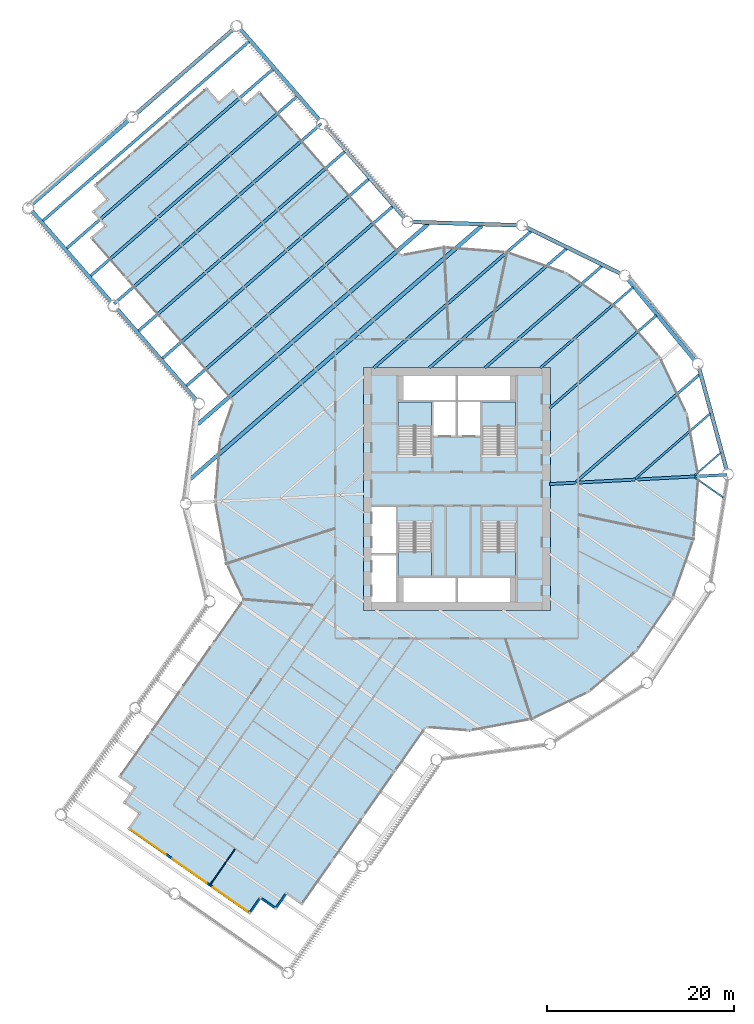
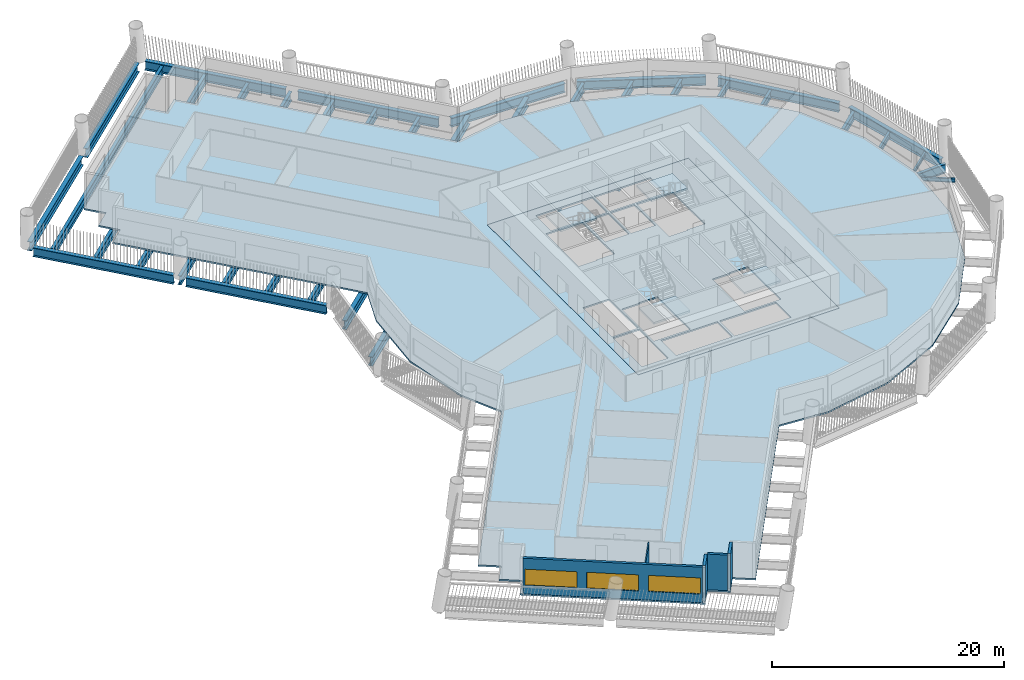
# One storey, part 2 of 15: 29 beams, 6 slabs, 5 walls, 3 windows, 3 openings, 4 elements without a shape of their own.
"""IFC4 building model written with IfcOpenShell, lengths in metres."""

from ifc_helpers import new_model, si_unit, direction, frame, frame_2d, origin, origin_2d, place, context, subcontext, project, spatial, polyline, rectangle, i_section, outline, extrude, material, layer, layer_set, material_profile, profile_set, type_object, element, fill, aggregate, save


model = new_model("IFC4")

# Units and contexts
model_context = context("Model", 3, precision=1e-05, world=origin(), true_north=direction((0.0, 1.0)))
body_context = subcontext(model_context, "Body", "Model", "MODEL_VIEW")
ifc_project = project(units=[si_unit("LENGTHUNIT", "METRE"), si_unit("AREAUNIT", "SQUARE_METRE"), si_unit("VOLUMEUNIT", "CUBIC_METRE"), si_unit("PLANEANGLEUNIT", "RADIAN"), si_unit("MASSUNIT", "GRAM", prefix="KILO")], contexts=[model_context])

# Site, building, storey
site_placement = place(None, origin())
site = spatial("IfcSite", under=ifc_project, at=site_placement, CompositionType="ELEMENT")
building_placement = place(site_placement, origin())
building = spatial("IfcBuilding", under=site, at=building_placement, Name="Tarsis Ring Headquarters", CompositionType="ELEMENT")
storey_placement = place(building_placement, frame((0.0, 0.0, 51.699951171875)))
storey = spatial("IfcBuildingStorey", under=building, at=storey_placement, Name="L10", CompositionType="ELEMENT", Elevation=51.699951171875)

# Beams
ifc_material_1 = material(Name="Structural steel S355", Category="steel")
ifc_material_profile_1 = material_profile(ifc_material_1, i_section(OverallWidth=0.177734375, OverallDepth=0.406494140625, WebThickness=0.0078125, FlangeThickness=0.0126953125, at=origin_2d()), Name="W16x40")
ifc_profile_set_1 = profile_set([ifc_material_profile_1], Name="Structural steel S355")
beam_type_1 = type_object("IfcBeamType", Name="FB Floor beam W16x40", PredefinedType="JOIST", material=ifc_profile_set_1)
beam_1_placement = place(storey_placement, frame((25.42822265625, 1.239013671875, -0.363037109375), z_axis=(0.819164473941, -0.573558684558, 0.0), x_axis=(0.573558684558, 0.819164473941, 0.0)))
element("IfcBeam", 1, at=beam_1_placement, inside=storey, type_object=beam_type_1, Name="Floor beam FB1", PredefinedType="JOIST", context=body_context, shape_type="SweptSolid", body=[
    extrude(i_section(OverallWidth=0.177734375, OverallDepth=0.406494140625, WebThickness=0.0078125, FlangeThickness=0.0126953125, at=origin_2d()), origin(), (0.0, 0.0, 1.0), 3.741455078125),
])
beam_2_placement = place(storey_placement, frame((28.2421875, 3.88037109375, -0.363037109375), z_axis=(-0.754682777559, -0.656089860656, 0.0), x_axis=(0.656089860656, -0.754682777559, 0.0)))
element("IfcBeam", 2, at=beam_2_placement, inside=storey, type_object=beam_type_1, Name="Floor beam FB1", PredefinedType="JOIST", context=body_context, shape_type="SweptSolid", body=[
    extrude(i_section(OverallWidth=0.177734375, OverallDepth=0.406494140625, WebThickness=0.0078125, FlangeThickness=0.0126953125, at=origin_2d()), origin(), (0.0, 0.0, 1.0), 3.74169921875),
])
ifc_material_profile_2 = material_profile(ifc_material_1, i_section(OverallWidth=0.228271484375, OverallDepth=0.607177734375, WebThickness=0.01123046875, FlangeThickness=0.017333984375, at=origin_2d()), Name="W24x76")
ifc_profile_set_2 = profile_set([ifc_material_profile_2], Name="Structural steel S355")
beam_type_2 = type_object("IfcBeamType", Name="FB Floor beam W24x76", PredefinedType="JOIST", material=ifc_profile_set_2)
beam_3_placement = place(storey_placement, frame((27.1083984375, 8.062255859375, -0.463623046875), z_axis=(-0.754711409707, -0.656056924403, 0.0), x_axis=(0.656056924403, -0.754711409707, 0.0)))
element("IfcBeam", 3, at=beam_3_placement, inside=storey, type_object=beam_type_2, Name="Floor beam FB4", PredefinedType="JOIST", context=body_context, shape_type="SweptSolid", body=[
    extrude(i_section(OverallWidth=0.228271484375, OverallDepth=0.607177734375, WebThickness=0.01123046875, FlangeThickness=0.017333984375, at=origin_2d()), origin(), (0.0, 0.0, 1.0), 10.621337890625),
])
ifc_material_profile_3 = material_profile(ifc_material_1, i_section(OverallWidth=0.2529296875, OverallDepth=0.67822265625, WebThickness=0.01171875, FlangeThickness=0.016357421875, at=origin_2d()), Name="W27x84")
ifc_profile_set_3 = profile_set([ifc_material_profile_3], Name="Structural steel S355")
beam_type_3 = type_object("IfcBeamType", Name="FB Floor beam W27x84", PredefinedType="JOIST", material=ifc_profile_set_3)
beam_4_placement = place(storey_placement, frame((18.87060546875, 21.571533203125, -0.4990234375), z_axis=(-0.75470372547, -0.656065764053, 0.0), x_axis=(0.656065764053, -0.75470372547, 0.0)))
element("IfcBeam", 4, at=beam_4_placement, inside=storey, type_object=beam_type_3, Name="Floor beam FB5", PredefinedType="JOIST", context=body_context, shape_type="SweptSolid", body=[
    extrude(i_section(OverallWidth=0.2529296875, OverallDepth=0.67822265625, WebThickness=0.01171875, FlangeThickness=0.016357421875, at=origin_2d()), origin(), (0.0, 0.0, 1.0), 13.1650390625),
])
ifc_material_profile_4 = material_profile(ifc_material_1, i_section(OverallWidth=0.2666015625, OverallDepth=0.7568359375, WebThickness=0.013916015625, FlangeThickness=0.019287109375, at=origin_2d()), Name="W30x108")
ifc_profile_set_4 = profile_set([ifc_material_profile_4], Name="Structural steel S355")
beam_type_4 = type_object("IfcBeamType", Name="FB Floor beam W30x108", PredefinedType="JOIST", material=ifc_profile_set_4)
beam_5_placement = place(storey_placement, frame((21.35302734375, 18.561767578125, -0.538330078125), z_axis=(-0.754711028972, -0.656057362392, 0.0), x_axis=(0.656057362392, -0.754711028972, 0.0)))
element("IfcBeam", 5, at=beam_5_placement, inside=storey, type_object=beam_type_4, Name="Floor beam FB6", PredefinedType="JOIST", context=body_context, shape_type="SweptSolid", body=[
    extrude(i_section(OverallWidth=0.2666015625, OverallDepth=0.7568359375, WebThickness=0.013916015625, FlangeThickness=0.019287109375, at=origin_2d()), origin(), (0.0, 0.0, 1.0), 15.142822265625),
])
ifc_material_profile_5 = material_profile(ifc_material_1, i_section(OverallWidth=0.2919921875, OverallDepth=0.835693359375, WebThickness=0.013916015625, FlangeThickness=0.018798828125, at=origin_2d()), Name="W33x118")
ifc_profile_set_5 = profile_set([ifc_material_profile_5], Name="Structural steel S355")
beam_type_5 = type_object("IfcBeamType", Name="FB Floor beam W33x118", PredefinedType="JOIST", material=ifc_profile_set_5)
beam_6_placement = place(storey_placement, frame((25.974365234375, 12.244140625, -0.577880859375), z_axis=(-0.754705522328, -0.656063697035, 0.0), x_axis=(0.656063697035, -0.754705522328, 0.0)))
element("IfcBeam", 6, at=beam_6_placement, inside=storey, type_object=beam_type_5, Name="Floor beam FB7", PredefinedType="JOIST", context=body_context, shape_type="SweptSolid", body=[
    extrude(i_section(OverallWidth=0.2919921875, OverallDepth=0.835693359375, WebThickness=0.013916015625, FlangeThickness=0.018798828125, at=origin_2d()), origin(), (0.0, 0.0, 1.0), 17.5009765625),
])
beam_7_placement = place(storey_placement, frame((15.5595703125, 23.86083984375, -0.577880859375), z_axis=(-0.754704923427, -0.656064385983, 0.0), x_axis=(0.656064385983, -0.754704923427, 0.0)))
element("IfcBeam", 7, at=beam_7_placement, inside=storey, type_object=beam_type_5, Name="Floor beam FB7", PredefinedType="JOIST", context=body_context, shape_type="SweptSolid", body=[
    extrude(i_section(OverallWidth=0.2919921875, OverallDepth=0.835693359375, WebThickness=0.013916015625, FlangeThickness=0.018798828125, at=origin_2d()), origin(), (0.0, 0.0, 1.0), 16.654541015625),
])
ifc_material_profile_6 = material_profile(ifc_material_1, i_section(OverallWidth=0.3046875, OverallDepth=0.904296875, WebThickness=0.01513671875, FlangeThickness=0.02001953125, at=origin_2d()), Name="W36x135")
ifc_profile_set_6 = profile_set([ifc_material_profile_6], Name="Structural steel S355")
beam_type_6 = type_object("IfcBeamType", Name="FB Floor beam W36x135", PredefinedType="JOIST", material=ifc_profile_set_6)
beam_8_placement = place(storey_placement, frame((11.76025390625, 25.7255859375, -0.612060546875), z_axis=(-0.75470822226, -0.656060591145, 0.0), x_axis=(0.656060591145, -0.75470822226, 0.0)))
element("IfcBeam", 8, at=beam_8_placement, inside=storey, type_object=beam_type_6, Name="Floor beam FB8", PredefinedType="JOIST", context=body_context, shape_type="SweptSolid", body=[
    extrude(i_section(OverallWidth=0.3046875, OverallDepth=0.904296875, WebThickness=0.01513671875, FlangeThickness=0.02001953125, at=origin_2d()), origin(), (0.0, 0.0, 1.0), 19.4970703125),
])
ifc_material_profile_7 = material_profile(ifc_material_1, i_section(OverallWidth=0.3046875, OverallDepth=0.91943359375, WebThickness=0.017333984375, FlangeThickness=0.02783203125, at=origin_2d()), Name="W36x170")
ifc_profile_set_7 = profile_set([ifc_material_profile_7], Name="Structural steel S355")
beam_type_7 = type_object("IfcBeamType", Name="FB Floor beam W36x170", PredefinedType="JOIST", material=ifc_profile_set_7)
beam_9_placement = place(storey_placement, frame((7.9609375, 27.590576171875, -0.61962890625), z_axis=(-0.754705270476, -0.656063986754, 0.0), x_axis=(0.656063986754, -0.754705270476, 0.0)))
element("IfcBeam", 9, at=beam_9_placement, inside=storey, type_object=beam_type_7, Name="Floor beam FB9", PredefinedType="JOIST", context=body_context, shape_type="SweptSolid", body=[
    extrude(i_section(OverallWidth=0.3046875, OverallDepth=0.91943359375, WebThickness=0.017333984375, FlangeThickness=0.02783203125, at=origin_2d()), origin(), (0.0, 0.0, 1.0), 22.339599609375),
])
ifc_material_profile_8 = material_profile(ifc_material_1, i_section(OverallWidth=0.309814453125, OverallDepth=0.949951171875, WebThickness=0.0244140625, FlangeThickness=0.0439453125, at=origin_2d()), Name="W36x256")
ifc_profile_set_8 = profile_set([ifc_material_profile_8], Name="Structural steel S355")
beam_type_8 = type_object("IfcBeamType", Name="FB Floor beam W36x256", PredefinedType="JOIST", material=ifc_profile_set_8)
beam_10_placement = place(storey_placement, frame((-6.8251953125, 30.23974609375, -0.635009765625), z_axis=(-0.754713401662, -0.656054632902, 0.0), x_axis=(0.656054632902, -0.754713401662, 0.0)))
element("IfcBeam", 10, at=beam_10_placement, inside=storey, type_object=beam_type_8, Name="Floor beam FB11", PredefinedType="JOIST", context=body_context, shape_type="SweptSolid", body=[
    extrude(i_section(OverallWidth=0.309814453125, OverallDepth=0.949951171875, WebThickness=0.0244140625, FlangeThickness=0.0439453125, at=origin_2d()), origin(), (0.0, 0.0, 1.0), 29.3759765625),
])
for number, where, z_axis, x_axis, name in (
    (11, (-9.384033203125, 33.18310546875, -0.635009765625), (-0.75470982455, -0.656058747924, 0.0), (0.656058747924, -0.75470982455, 0.0), "Floor beam FB11"),
    (12, (-11.942626953125, 36.12646484375, -0.635009765625), (-0.75470982455, -0.656058747924, 0.0), (0.656058747924, -0.75470982455, 0.0), "Floor beam FB11"),
    (13, (-14.501220703125, 39.06982421875, -0.635009765625), (-0.75470982455, -0.656058747924, 0.0), (0.656058747924, -0.75470982455, 0.0), "Floor beam FB11"),
    (14, (-17.059814453125, 42.01318359375, -0.635009765625), (-0.75470982455, -0.656058747924, 0.0), (0.656058747924, -0.75470982455, 0.0), "Floor beam FB11"),
    (15, (-19.618408203125, 44.95654296875, -0.635009765625), (-0.75470982455, -0.656058747924, 0.0), (0.656058747924, -0.75470982455, 0.0), "Floor beam FB11"),
):
    element("IfcBeam", number, at=place(storey_placement, frame(where, z_axis=z_axis, x_axis=x_axis)), inside=storey, type_object=beam_type_8, Name=name, PredefinedType="JOIST", context=body_context, shape_type="SweptSolid", body=[
        extrude(i_section(OverallWidth=0.309814453125, OverallDepth=0.949951171875, WebThickness=0.0244140625, FlangeThickness=0.0439453125, at=origin_2d()), origin(), (0.0, 0.0, 1.0), 29.375732421875),
    ])
beam_11_placement = place(storey_placement, frame((-22.177001953125, 47.89990234375, -0.635009765625), z_axis=(-0.754713401662, -0.656054632902, 0.0), x_axis=(0.656054632902, -0.754713401662, 0.0)))
element("IfcBeam", 16, at=beam_11_placement, inside=storey, type_object=beam_type_8, Name="Floor beam FB11", PredefinedType="JOIST", context=body_context, shape_type="SweptSolid", body=[
    extrude(i_section(OverallWidth=0.309814453125, OverallDepth=0.949951171875, WebThickness=0.0244140625, FlangeThickness=0.0439453125, at=origin_2d()), origin(), (0.0, 0.0, 1.0), 29.3759765625),
])
beam_type_9 = type_object("IfcBeamType", Name="FB Floor beam W36x256 spine", PredefinedType="BEAM", material=ifc_profile_set_8)
beam_12_placement = place(storey_placement, frame((28.891845703125, 1.51416015625, -0.635009765625), z_axis=(-0.998629401335, -0.052338501983, 0.0), x_axis=(0.052338501983, -0.998629401335, 0.0)))
element("IfcBeam", 17, at=beam_12_placement, inside=storey, type_object=beam_type_9, Name="Floor beam SB11", PredefinedType="BEAM", context=body_context, shape_type="SweptSolid", body=[
    extrude(i_section(OverallWidth=0.309814453125, OverallDepth=0.949951171875, WebThickness=0.0244140625, FlangeThickness=0.0439453125, at=origin_2d()), origin(), (0.0, 0.0, 1.0), 19.017822265625),
])
ifc_material_profile_9 = material_profile(ifc_material_1, i_section(OverallWidth=0.42431640625, OverallDepth=0.947509765625, WebThickness=0.02392578125, FlangeThickness=0.042724609375, at=origin_2d()), Name="W36x302")
ifc_profile_set_9 = profile_set([ifc_material_profile_9], Name="Structural steel S355")
beam_type_10 = type_object("IfcBeamType", Name="FB Floor beam W36x302", PredefinedType="JOIST", material=ifc_profile_set_9)
beam_13_placement = place(storey_placement, frame((2.695068359375, 28.1806640625, -0.633544921875), z_axis=(-0.754707828775, -0.656061043796, 0.0), x_axis=(0.656061043796, -0.754707828775, 0.0)))
element("IfcBeam", 18, at=beam_13_placement, inside=storey, type_object=beam_type_10, Name="Floor beam FB12", PredefinedType="JOIST", context=body_context, shape_type="SweptSolid", body=[
    extrude(i_section(OverallWidth=0.42431640625, OverallDepth=0.947509765625, WebThickness=0.02392578125, FlangeThickness=0.042724609375, at=origin_2d()), origin(), (0.0, 0.0, 1.0), 41.35302734375),
])
beam_14_placement = place(storey_placement, frame((-3.0419921875, 28.361083984375, -0.633544921875), z_axis=(-0.754705957604, -0.656063196313, 0.0), x_axis=(0.656063196313, -0.754705957604, 0.0)))
element("IfcBeam", 19, at=beam_14_placement, inside=storey, type_object=beam_type_10, Name="Floor beam FB12", PredefinedType="JOIST", context=body_context, shape_type="SweptSolid", body=[
    extrude(i_section(OverallWidth=0.42431640625, OverallDepth=0.947509765625, WebThickness=0.02392578125, FlangeThickness=0.042724609375, at=origin_2d()), origin(), (0.0, 0.0, 1.0), 32.70458984375),
])
beam_type_11 = type_object("IfcBeamType", Name="XG Ring girder W36x302", PredefinedType="BEAM", material=ifc_profile_set_9)
beam_15_placement = place(storey_placement, frame((28.865234375, 2.0498046875, -0.4736328125), z_axis=(-0.26170739234, 0.965147263787, 0.0), x_axis=(-0.965147263787, -0.26170739234, 0.0)))
element("IfcBeam", 20, at=beam_15_placement, inside=storey, type_object=beam_type_11, Name="Ring girder XG1", PredefinedType="BEAM", context=body_context, shape_type="SweptSolid", body=[
    extrude(i_section(OverallWidth=0.42431640625, OverallDepth=0.947509765625, WebThickness=0.02392578125, FlangeThickness=0.042724609375, at=origin_2d()), origin(), (0.0, 0.0, 1.0), 11.151611328125),
])
beam_16_placement = place(storey_placement, frame((25.4541015625, 13.765380859375, -0.4736328125), z_axis=(-0.636263429582, 0.771471871281, 0.0), x_axis=(-0.771471871281, -0.636263429582, 0.0)))
element("IfcBeam", 21, at=beam_16_placement, inside=storey, type_object=beam_type_11, Name="Ring girder XG1", PredefinedType="BEAM", context=body_context, shape_type="SweptSolid", body=[
    extrude(i_section(OverallWidth=0.42431640625, OverallDepth=0.947509765625, WebThickness=0.02392578125, FlangeThickness=0.042724609375, at=origin_2d()), origin(), (0.0, 0.0, 1.0), 11.15185546875),
])
for number, where, z_axis, x_axis, name in (
    (22, (17.51708984375, 23.03369140625, -0.4736328125), (-0.897695636764, 0.440616095637, 0.0), (-0.440616095637, -0.897695636764, 0.0), "Ring girder XG1"),
    (23, (6.465576171875, 28.206298828125, -0.4736328125), (-0.999505690328, 0.03143843193, 0.0), (-0.03143843193, -0.999505690328, 0.0), "Ring girder XG1"),
):
    element("IfcBeam", number, at=place(storey_placement, frame(where, z_axis=z_axis, x_axis=x_axis)), inside=storey, type_object=beam_type_11, Name=name, PredefinedType="BEAM", context=body_context, shape_type="SweptSolid", body=[
        extrude(i_section(OverallWidth=0.42431640625, OverallDepth=0.947509765625, WebThickness=0.02392578125, FlangeThickness=0.042724609375, at=origin_2d()), origin(), (0.0, 0.0, 1.0), 11.151611328125),
    ])
for number, where, z_axis, x_axis, name in (
    (24, (-5.5888671875, 28.988037109375, -0.4736328125), (-0.656049839, 0.754717568862, 0.0), (-0.754717568862, -0.656049839, 0.0), "Ring girder XG1"),
    (25, (-14.70947265625, 39.480224609375, -0.4736328125), (-0.656060698893, 0.754708128596, 0.0), (-0.754708128596, -0.656060698893, 0.0), "Ring girder XG1"),
):
    element("IfcBeam", number, at=place(storey_placement, frame(where, z_axis=z_axis, x_axis=x_axis)), inside=storey, type_object=beam_type_11, Name=name, PredefinedType="BEAM", context=body_context, shape_type="SweptSolid", body=[
        extrude(i_section(OverallWidth=0.42431640625, OverallDepth=0.947509765625, WebThickness=0.02392578125, FlangeThickness=0.042724609375, at=origin_2d()), origin(), (0.0, 0.0, 1.0), 12.804931640625),
    ])
beam_17_placement = place(storey_placement, frame((-23.88427734375, 49.198486328125, -0.4736328125), z_axis=(-0.754701789963, -0.656067990552, 0.0), x_axis=(0.656067990552, -0.754701789963, 0.0)))
element("IfcBeam", 26, at=beam_17_placement, inside=storey, type_object=beam_type_11, Name="Ring girder XG1", PredefinedType="BEAM", context=body_context, shape_type="SweptSolid", body=[
    extrude(i_section(OverallWidth=0.42431640625, OverallDepth=0.947509765625, WebThickness=0.02392578125, FlangeThickness=0.042724609375, at=origin_2d()), origin(), (0.0, 0.0, 1.0), 13.702880859375),
])
beam_18_placement = place(storey_placement, frame((-35.053955078125, 39.48876953125, -0.4736328125), z_axis=(-0.754710611731, -0.656057842375, 0.0), x_axis=(0.656057842375, -0.754710611731, 0.0)))
element("IfcBeam", 27, at=beam_18_placement, inside=storey, type_object=beam_type_11, Name="Ring girder XG1", PredefinedType="BEAM", context=body_context, shape_type="SweptSolid", body=[
    extrude(i_section(OverallWidth=0.42431640625, OverallDepth=0.947509765625, WebThickness=0.02392578125, FlangeThickness=0.042724609375, at=origin_2d()), origin(), (0.0, 0.0, 1.0), 13.70263671875),
])
for number, where, z_axis, x_axis, name in (
    (28, (-45.44970703125, 29.724853515625, -0.4736328125), (0.656060698893, -0.754708128596, 0.0), (0.754708128596, 0.656060698893, 0.0), "Ring girder XG1"),
    (29, (-36.3291015625, 19.232666015625, -0.4736328125), (0.656070139204, -0.754699922118, 0.0), (0.754699922118, 0.656070139204, 0.0), "Ring girder XG1"),
):
    element("IfcBeam", number, at=place(storey_placement, frame(where, z_axis=z_axis, x_axis=x_axis)), inside=storey, type_object=beam_type_11, Name=name, PredefinedType="BEAM", context=body_context, shape_type="SweptSolid", body=[
        extrude(i_section(OverallWidth=0.42431640625, OverallDepth=0.947509765625, WebThickness=0.02392578125, FlangeThickness=0.042724609375, at=origin_2d()), origin(), (0.0, 0.0, 1.0), 12.804931640625),
    ])

# Slab
ifc_material_2 = material(Name="Concrete C40/50", Category="concrete")
ifc_layer_1 = layer(ifc_material_2, 0.159912109375)
ifc_layer_set_1 = layer_set([ifc_layer_1], Name="Core floor slab 160 C40/50")
slab_type_1 = type_object("IfcSlabType", Name="Core floor slab 160 C40/50", PredefinedType="FLOOR", material=ifc_layer_set_1)
slab_1_placement = place(storey_placement, frame((0.0, 0.0, -0.159912109375)))
element("IfcSlab", 30, at=slab_1_placement, inside=storey, type_object=slab_type_1, Name="L10 core floor slab", PredefinedType="FLOOR", context=body_context, shape_type="SweptSolid", body=[
    extrude(outline(polyline([(-10.0, -13.0), (10.0, -13.0), (10.0, 13.0), (-10.0, 13.0), (-10.0, -13.0)]), holes=[polyline([(-2.5, 5.699951171875), (-0.10009765625, 5.699951171875), (-0.10009765625, 9.300048828125), (-2.5, 9.300048828125), (-2.5, 5.699951171875)]), polyline([(0.10009765625, 5.699951171875), (2.5, 5.699951171875), (2.5, 9.300048828125), (0.10009765625, 9.300048828125), (0.10009765625, 5.699951171875)]), polyline([(-9.10009765625, -12.10009765625), (-6.5, -12.10009765625), (-6.5, -7.10009765625), (-9.10009765625, -7.10009765625), (-9.10009765625, -12.10009765625)]), polyline([(-9.10009765625, -6.89990234375), (-6.5, -6.89990234375), (-6.5, -1.89990234375), (-9.10009765625, -1.89990234375), (-9.10009765625, -6.89990234375)]), polyline([(-5.699951171875, 9.5), (-0.10009765625, 9.5), (-0.10009765625, 12.10009765625), (-5.699951171875, 12.10009765625), (-5.699951171875, 9.5)]), polyline([(0.10009765625, 9.5), (5.699951171875, 9.5), (5.699951171875, 12.10009765625), (0.10009765625, 12.10009765625), (0.10009765625, 9.5)]), polyline([(-5.699951171875, -12.10009765625), (-0.10009765625, -12.10009765625), (-0.10009765625, -9.5), (-5.699951171875, -9.5), (-5.699951171875, -12.10009765625)]), polyline([(0.10009765625, -12.10009765625), (5.699951171875, -12.10009765625), (5.699951171875, -9.5), (0.10009765625, -9.5), (0.10009765625, -12.10009765625)]), polyline([(-2.699951171875, 3.760009765625), (-2.699951171875, 9.300048828125), (-6.300048828125, 9.300048828125), (-6.300048828125, 3.659912109375), (-4.4599609375, 3.659912109375), (-4.4599609375, 3.760009765625), (-2.699951171875, 3.760009765625)]), polyline([(6.300048828125, 3.760009765625), (6.300048828125, 9.300048828125), (2.699951171875, 9.300048828125), (2.699951171875, 3.659912109375), (4.5400390625, 3.659912109375), (4.5400390625, 3.760009765625), (6.300048828125, 3.760009765625)]), polyline([(-6.300048828125, -3.760009765625), (-6.300048828125, -9.300048828125), (-2.699951171875, -9.300048828125), (-2.699951171875, -3.659912109375), (-4.5400390625, -3.659912109375), (-4.5400390625, -3.760009765625), (-6.300048828125, -3.760009765625)]), polyline([(2.699951171875, -3.760009765625), (2.699951171875, -9.300048828125), (6.300048828125, -9.300048828125), (6.300048828125, -3.659912109375), (4.4599609375, -3.659912109375), (4.4599609375, -3.760009765625), (2.699951171875, -3.760009765625)])]), origin(), (0.0, 0.0, 1.0), 0.159912109375),
])

# Stair, slab
ifc_material_3 = material(Name="Core stair 1760")
stair_type = type_object("IfcStairType", Name="Core stair 1760", PredefinedType="HALF_TURN_STAIR", material=ifc_material_3)
stair_1_placement = place(storey_placement, origin())
stair_1 = element("IfcStair", 31, at=stair_1_placement, inside=storey, type_object=stair_type, Name="L10 Firefighting stair", PredefinedType="HALF_TURN_STAIR")
ifc_layer_2 = layer(ifc_material_2, 0.199951171875)
ifc_layer_set_2 = layer_set([ifc_layer_2], Name="Core stair landing 200")
slab_type_2 = type_object("IfcSlabType", Name="Core stair landing 200", PredefinedType="LANDING", material=ifc_layer_set_2)
slab_2_placement = place(storey_placement, frame((0.0, 0.0, 1.75)))
slab_2 = element("IfcSlab", 32, at=slab_2_placement, type_object=slab_type_2, Name="Stair ST1 landing 1", PredefinedType="LANDING", context=body_context, shape_type="SweptSolid", body=[
    extrude(outline(polyline([(-2.699951171875, 6.739990234375), (-2.699951171875, 9.300048828125), (-6.300048828125, 9.300048828125), (-6.300048828125, 6.739990234375), (-2.699951171875, 6.739990234375)])), origin(), (0.0, 0.0, 1.0), 0.199951171875),
])
aggregate(stair_1, [slab_2])

stair_2_placement = place(storey_placement, origin())
stair_2 = element("IfcStair", 33, at=stair_2_placement, inside=storey, type_object=stair_type, Name="L10 Exit stair B", PredefinedType="HALF_TURN_STAIR")
slab_3_placement = place(storey_placement, frame((0.0, 0.0, 1.75)))
slab_3 = element("IfcSlab", 34, at=slab_3_placement, type_object=slab_type_2, Name="Stair ST2 landing 1", PredefinedType="LANDING", context=body_context, shape_type="SweptSolid", body=[
    extrude(outline(polyline([(6.300048828125, 6.739990234375), (6.300048828125, 9.300048828125), (2.699951171875, 9.300048828125), (2.699951171875, 6.739990234375), (6.300048828125, 6.739990234375)])), origin(), (0.0, 0.0, 1.0), 0.199951171875),
])
aggregate(stair_2, [slab_3])

stair_3_placement = place(storey_placement, origin())
stair_3 = element("IfcStair", 35, at=stair_3_placement, inside=storey, type_object=stair_type, Name="L10 Exit stair C", PredefinedType="HALF_TURN_STAIR")
slab_4_placement = place(storey_placement, frame((0.0, 0.0, 1.75)))
slab_4 = element("IfcSlab", 36, at=slab_4_placement, type_object=slab_type_2, Name="Stair ST3 landing 1", PredefinedType="LANDING", context=body_context, shape_type="SweptSolid", body=[
    extrude(outline(polyline([(-6.300048828125, -6.739990234375), (-6.300048828125, -9.300048828125), (-2.699951171875, -9.300048828125), (-2.699951171875, -6.739990234375), (-6.300048828125, -6.739990234375)])), origin(), (0.0, 0.0, 1.0), 0.199951171875),
])
aggregate(stair_3, [slab_4])

stair_4_placement = place(storey_placement, origin())
stair_4 = element("IfcStair", 37, at=stair_4_placement, inside=storey, type_object=stair_type, Name="L10 Exit stair D", PredefinedType="HALF_TURN_STAIR")
slab_5_placement = place(storey_placement, frame((0.0, 0.0, 1.75)))
slab_5 = element("IfcSlab", 38, at=slab_5_placement, type_object=slab_type_2, Name="Stair ST4 landing 1", PredefinedType="LANDING", context=body_context, shape_type="SweptSolid", body=[
    extrude(outline(polyline([(2.699951171875, -6.739990234375), (2.699951171875, -9.300048828125), (6.300048828125, -9.300048828125), (6.300048828125, -6.739990234375), (2.699951171875, -6.739990234375)])), origin(), (0.0, 0.0, 1.0), 0.199951171875),
])
aggregate(stair_4, [slab_5])

# Slab
ifc_material_4 = material(Name="Concrete C35/45", Category="concrete")
ifc_layer_3 = layer(ifc_material_4, 0.159912109375)
ifc_layer_set_3 = layer_set([ifc_layer_3], Name="FS Composite floor slab 160")
slab_type_3 = type_object("IfcSlabType", Name="FS Composite floor slab 160", PredefinedType="FLOOR", material=ifc_layer_set_3)
slab_6_placement = place(storey_placement, frame((0.0, 0.0, -0.159912109375)))
element("IfcSlab", 39, at=slab_6_placement, inside=storey, type_object=slab_type_3, Name="Floor slab L10", PredefinedType="FLOOR", context=body_context, shape_type="SweptSolid", body=[
    extrude(outline(polyline([(-24.032958984375, 9.355712890625), (-25.431884765625, 5.40576171875), (-25.96435546875, -1.36083984375), (-24.7275390625, -8.034423828125), (-22.92333984375, -11.816650390625), (-36.21435546875, -30.798095703125), (-34.575927734375, -31.9453125), (-35.72314453125, -33.58349609375), (-34.0849609375, -34.730712890625), (-35.23193359375, -36.368896484375), (-22.12548828125, -45.546142578125), (-20.978515625, -43.907958984375), (-19.340087890625, -45.05517578125), (-18.193115234375, -43.416748046875), (-16.5546875, -44.56396484375), (-3.275634765625, -25.599365234375), (1.36083984375, -25.96435546875), (8.034423828125, -24.7275390625), (14.16064453125, -21.805419921875), (19.32177734375, -17.3974609375), (23.166259765625, -11.8037109375), (25.431884765625, -5.40576171875), (25.96435546875, 1.36083984375), (24.7275390625, 8.034423828125), (21.805419921875, 14.16064453125), (17.3974609375, 19.32177734375), (11.8037109375, 23.166259765625), (5.40576171875, 25.431884765625), (-1.36083984375, 25.96435546875), (-5.93359375, 25.116943359375), (-21.122314453125, 42.58935546875), (-22.631591796875, 41.27734375), (-23.94384765625, 42.78662109375), (-25.453125, 41.474609375), (-26.765380859375, 42.98388671875), (-38.840576171875, 32.487060546875), (-37.528564453125, 30.9775390625), (-39.037841796875, 29.66552734375), (-37.725830078125, 28.156005859375), (-39.2353515625, 26.843994140625), (-24.032958984375, 9.355712890625)]), holes=[polyline([(-10.0, -13.0), (-10.0, 13.0), (10.0, 13.0), (10.0, -13.0), (-10.0, -13.0)])]), origin(), (0.0, 0.0, 1.0), 0.159912109375),
])

# Wall
ifc_material_5 = material(Name="Gypsum board on steel studs", Category="steel")
ifc_layer_4 = layer(ifc_material_5, 0.10009765625)
ifc_layer_set_4 = layer_set([ifc_layer_4], Name="FL partition 100 unrated")
wall_type_1 = type_object("IfcWallType", Name="FL partition 100 unrated", PredefinedType="PARTITIONING", material=ifc_layer_set_4)
wall_1_placement = place(storey_placement, frame((-26.462890625, -42.447998046875, 0.0), z_axis=(0.0, 0.0, 1.0), x_axis=(0.573572265406, 0.8191549648, 0.0)))
element("IfcWall", 40, at=wall_1_placement, inside=storey, type_object=wall_type_1, Name="Partition PW3", PredefinedType="PARTITIONING", context=body_context, shape_type="SweptSolid", body=[
    extrude(rectangle(XDim=4.769775390625, YDim=0.10009765625, at=frame_2d((2.384765625, 0.0))), origin(), (0.0, 0.0, 1.0), 2.699951171875),
])

# Wall, openings, windows
ifc_material_6 = material(Name="Terracotta clad insulated panel wall", Category="masonry")
ifc_layer_5 = layer(ifc_material_6, 0.25)
ifc_layer_set_5 = layer_set([ifc_layer_5], Name="Facade wall terracotta panel 250")
wall_type_2 = type_object("IfcWallType", Name="Facade wall terracotta panel 250", PredefinedType="STANDARD", material=ifc_layer_set_5)
wall_2_placement = place(storey_placement, frame((-34.95556640625, -36.409912109375, 0.0), z_axis=(0.0, 0.0, 1.0), x_axis=(0.819144593602, -0.573587076888, 0.0)))
wall_2 = element("IfcWall", 41, at=wall_2_placement, inside=storey, type_object=wall_type_2, Name="External wall L10-11", PredefinedType="STANDARD", context=body_context, shape_type="SweptSolid", body=[
    extrude(rectangle(XDim=15.5, YDim=0.25, at=frame_2d((7.75, 0.0))), origin(), (0.0, 0.0, 1.0), 3.739990234375),
])
opening_1_placement = place(wall_2_placement, frame((0.166748046875, 0.0, 0.89990234375)))
opening_1 = element("IfcOpeningElement", 42, at=opening_1_placement, cuts=wall_2, Name="Opening WN04", PredefinedType="OPENING", context=body_context, shape_type="SweptSolid", body=[
    extrude(rectangle(XDim=4.5, YDim=1.699951171875, at=frame_2d((2.25, 0.85009765625))), frame((0.0, 0.135009765625, 0.0), z_axis=(0.0, -1.0, 0.0), x_axis=(1.0, 0.0, 0.0)), (0.0, 0.0, 1.0), 0.27001953125),
])
opening_2_placement = place(wall_2_placement, frame((5.5, 0.0, 0.89990234375)))
opening_2 = element("IfcOpeningElement", 43, at=opening_2_placement, cuts=wall_2, Name="Opening WN04", PredefinedType="OPENING", context=body_context, shape_type="SweptSolid", body=[
    extrude(rectangle(XDim=4.5, YDim=1.699951171875, at=frame_2d((2.25, 0.85009765625))), frame((0.0, 0.135009765625, 0.0), z_axis=(0.0, -1.0, 0.0), x_axis=(1.0, 0.0, 0.0)), (0.0, 0.0, 1.0), 0.27001953125),
])
opening_3_placement = place(wall_2_placement, frame((10.833251953125, 0.0, 0.89990234375)))
opening_3 = element("IfcOpeningElement", 44, at=opening_3_placement, cuts=wall_2, Name="Opening WN04", PredefinedType="OPENING", context=body_context, shape_type="SweptSolid", body=[
    extrude(rectangle(XDim=4.5, YDim=1.699951171875, at=frame_2d((2.25, 0.85009765625))), frame((0.0, 0.135009765625, 0.0), z_axis=(0.0, -1.0, 0.0), x_axis=(1.0, 0.0, 0.0)), (0.0, 0.0, 1.0), 0.27001953125),
])
ifc_material_7 = material(Name="Aluminium framed double glazing", Category="aluminium")
window_type = type_object("IfcWindowType", Name="Facade window 4500 x 1700", PartitioningType="SINGLE_PANEL", PredefinedType="WINDOW", material=ifc_material_7)
window_1_placement = place(opening_1_placement, origin())
window_1 = element("IfcWindow", 45, at=window_1_placement, inside=storey, type_object=window_type, Name="Window L10-11.1", OverallHeight=1.699951171875, OverallWidth=4.5, PartitioningType="SINGLE_PANEL", PredefinedType="WINDOW", context=body_context, shape_type="SweptSolid", body=[
    extrude(rectangle(XDim=4.5, YDim=1.699951171875, at=frame_2d((2.25, 0.85009765625))), frame((0.0, 0.030029296875, 0.0), z_axis=(0.0, -1.0, 0.0), x_axis=(1.0, 0.0, 0.0)), (0.0, 0.0, 1.0), 0.06005859375),
])
fill(opening_1, window_1)
window_2_placement = place(opening_2_placement, origin())
window_2 = element("IfcWindow", 46, at=window_2_placement, inside=storey, type_object=window_type, Name="Window L10-11.2", OverallHeight=1.699951171875, OverallWidth=4.5, PartitioningType="SINGLE_PANEL", PredefinedType="WINDOW", context=body_context, shape_type="SweptSolid", body=[
    extrude(rectangle(XDim=4.5, YDim=1.699951171875, at=frame_2d((2.25, 0.85009765625))), frame((0.0, 0.030029296875, 0.0), z_axis=(0.0, -1.0, 0.0), x_axis=(1.0, 0.0, 0.0)), (0.0, 0.0, 1.0), 0.06005859375),
])
fill(opening_2, window_2)
window_3_placement = place(opening_3_placement, origin())
window_3 = element("IfcWindow", 47, at=window_3_placement, inside=storey, type_object=window_type, Name="Window L10-11.3", OverallHeight=1.699951171875, OverallWidth=4.5, PartitioningType="SINGLE_PANEL", PredefinedType="WINDOW", context=body_context, shape_type="SweptSolid", body=[
    extrude(rectangle(XDim=4.5, YDim=1.699951171875, at=frame_2d((2.25, 0.85009765625))), frame((0.0, 0.030029296875, 0.0), z_axis=(0.0, -1.0, 0.0), x_axis=(1.0, 0.0, 0.0)), (0.0, 0.0, 1.0), 0.06005859375),
])
fill(opening_3, window_3)

# Walls
for number, where, z_axis, x_axis, name in (
    (48, (-22.084716796875, -45.269775390625, 0.0), (0.0, 0.0, 1.0), (0.573612130335, 0.819127049933, 0.0), "External wall L10-12"),
    (49, (-20.90673828125, -43.805419921875, 0.0), (0.0, 0.0, 1.0), (0.819127049933, -0.573612130335, 0.0), "External wall L10-13"),
):
    element("IfcWall", number, at=place(storey_placement, frame(where, z_axis=z_axis, x_axis=x_axis)), inside=storey, type_object=wall_type_2, Name=name, PredefinedType="STANDARD", context=body_context, shape_type="SweptSolid", body=[
        extrude(rectangle(XDim=1.750244140625, YDim=0.25, at=frame_2d((0.875, 0.0))), origin(), (0.0, 0.0, 1.0), 3.739990234375),
    ])
wall_3_placement = place(storey_placement, frame((-19.299072265625, -44.778564453125, 0.0), z_axis=(0.0, 0.0, 1.0), x_axis=(0.573518520844, 0.819192594113, 0.0)))
element("IfcWall", 50, at=wall_3_placement, inside=storey, type_object=wall_type_2, Name="External wall L10-14", PredefinedType="STANDARD", context=body_context, shape_type="SweptSolid", body=[
    extrude(rectangle(XDim=1.75, YDim=0.25, at=frame_2d((0.875, 0.0))), origin(), (0.0, 0.0, 1.0), 3.739990234375),
])

save(model, "model.ifc")
